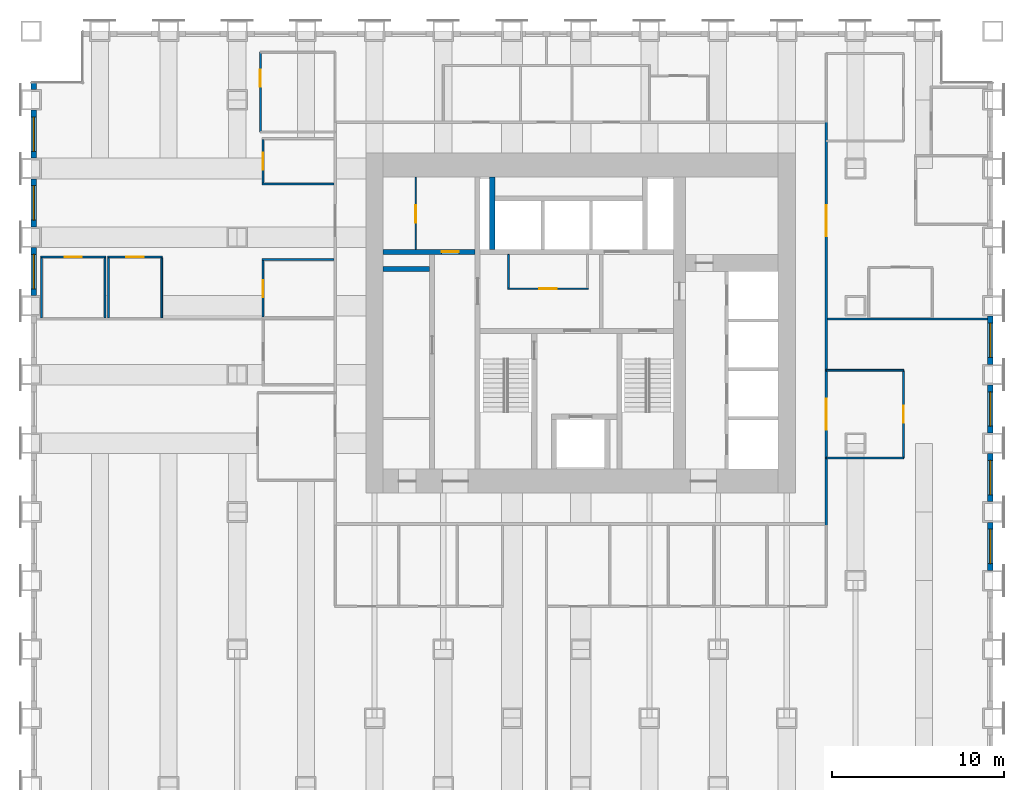
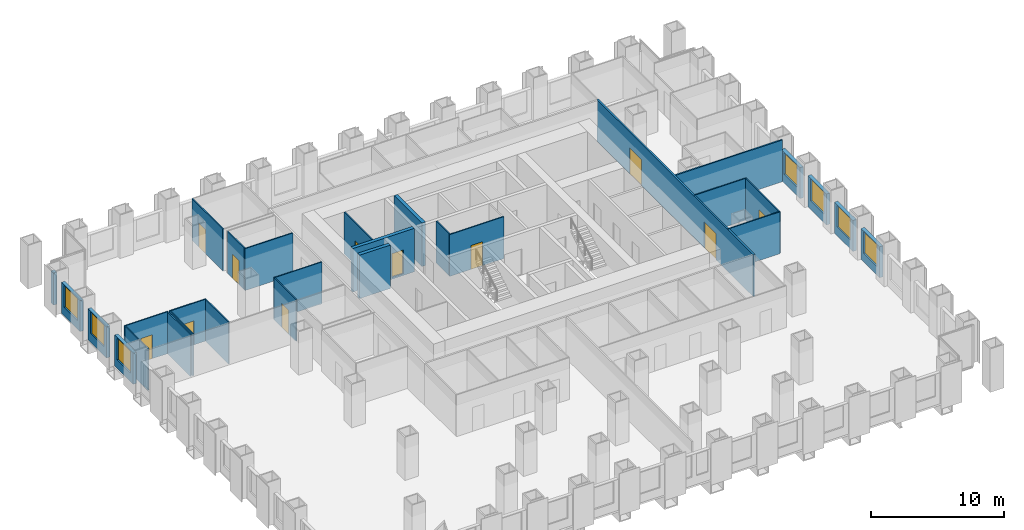
# One storey, part 10 of 14: 30 walls, 11 doors, 7 windows, 18 openings.
"""IFC4 building model written with IfcOpenShell, lengths in metres."""

from ifc_helpers import new_model, si_unit, direction, frame, frame_2d, origin, place, context, subcontext, project, spatial, rectangle, extrude, material, layer, layer_set, type_object, element, fill, save


model = new_model("IFC4")

# Units and contexts
model_context = context("Model", 3, precision=1e-05, world=origin(), true_north=direction((0.0, 1.0)))
body_context = subcontext(model_context, "Body", "Model", "MODEL_VIEW")
ifc_project = project(units=[si_unit("LENGTHUNIT", "METRE"), si_unit("AREAUNIT", "SQUARE_METRE"), si_unit("VOLUMEUNIT", "CUBIC_METRE"), si_unit("PLANEANGLEUNIT", "RADIAN"), si_unit("MASSUNIT", "GRAM", prefix="KILO")], contexts=[model_context])

# Site, building, storey
site_placement = place(None, origin())
site = spatial("IfcSite", under=ifc_project, at=site_placement, CompositionType="ELEMENT")
building_placement = place(site_placement, origin())
building = spatial("IfcBuilding", under=site, at=building_placement, Name="Rimbunsela Tower", CompositionType="ELEMENT")
storey_placement = place(building_placement, frame((0.0, 0.0, 15.0)))
storey = spatial("IfcBuildingStorey", under=building, at=storey_placement, Name="L03", CompositionType="ELEMENT", Elevation=15.0)

# Wall, opening, door
ifc_material_1 = material(Name="Concrete fc' 80 MPa", Category="concrete")
ifc_layer_1 = layer(ifc_material_1, 0.300048828125)
ifc_layer_set_1 = layer_set([ifc_layer_1], Name="Core internal wall 300")
wall_type_1 = type_object("IfcWallType", Name="Core internal wall 300", PredefinedType="SHEAR", material=ifc_layer_set_1)
wall_1_placement = place(storey_placement, frame((18.5, 31.14990234375, -0.14990234375), z_axis=(0.0, 0.0, 1.0), x_axis=(1.0, 0.0, 0.0)))
wall_1 = element("IfcWall", 1, at=wall_1_placement, inside=storey, type_object=wall_type_1, Name="Store wall", PredefinedType="SHEAR", context=body_context, shape_type="SweptSolid", body=[
    extrude(rectangle(XDim=5.35009765625, YDim=0.300048828125, at=frame_2d((2.675048828125, 0.0))), origin(), (0.0, 0.0, 1.0), 4.0),
])
opening_1_placement = place(wall_1_placement, frame((3.39990234375, 0.0, 0.14990234375)))
opening_1 = element("IfcOpeningElement", 2, at=opening_1_placement, cuts=wall_1, Name="Opening D19", PredefinedType="OPENING", context=body_context, shape_type="SweptSolid", body=[
    extrude(rectangle(XDim=1.0, YDim=2.199951171875, at=frame_2d((0.5, 1.10009765625))), frame((0.0, 0.159912109375, 0.0), z_axis=(0.0, -1.0, 0.0), x_axis=(1.0, 0.0, 0.0)), (0.0, 0.0, 1.0), 0.320068359375),
])
ifc_material_2 = material(Name="Steel door, fire rated", Category="steel")
door_type_1 = type_object("IfcDoorType", Name="Service door 1000 fire rated", OperationType="SINGLE_SWING_LEFT", PredefinedType="DOOR", material=ifc_material_2)
door_1_placement = place(opening_1_placement, origin())
door_1 = element("IfcDoor", 3, at=door_1_placement, inside=storey, type_object=door_type_1, Name="Facilities store door", OperationType="SINGLE_SWING_LEFT", OverallHeight=2.199951171875, OverallWidth=1.0, PredefinedType="DOOR", context=body_context, shape_type="SweptSolid", body=[
    extrude(rectangle(XDim=1.0, YDim=2.199951171875, at=frame_2d((0.5, 1.10009765625))), frame((0.0, 0.02490234375, 0.0), z_axis=(0.0, -1.0, 0.0), x_axis=(1.0, 0.0, 0.0)), (0.0, 0.0, 1.0), 0.050048828125),
])
fill(opening_1, door_1)

# Walls
wall_2_placement = place(storey_placement, frame((18.5, 30.14990234375, -0.14990234375), z_axis=(0.0, 0.0, 1.0), x_axis=(1.0, 0.0, 0.0)))
element("IfcWall", 4, at=wall_2_placement, inside=storey, type_object=wall_type_1, Name="Lift shaft rear west", PredefinedType="SHEAR", context=body_context, shape_type="SweptSolid", body=[
    extrude(rectangle(XDim=2.699951171875, YDim=0.300048828125, at=frame_2d((1.35009765625, 0.0))), origin(), (0.0, 0.0, 1.0), 4.0),
])
wall_3_placement = place(storey_placement, frame((24.85009765625, 31.300048828125, -0.14990234375), z_axis=(0.0, 0.0, 1.0), x_axis=(0.0, 1.0, 0.0)))
element("IfcWall", 5, at=wall_3_placement, inside=storey, type_object=wall_type_1, Name="Riser wall", PredefinedType="SHEAR", context=body_context, shape_type="SweptSolid", body=[
    extrude(rectangle(XDim=4.199951171875, YDim=0.300048828125, at=frame_2d((2.10009765625, 0.0))), origin(), (0.0, 0.0, 1.0), 4.0),
])

# Wall, opening, door
ifc_material_3 = material(Name="Concrete blockwork", Category="masonry")
ifc_layer_2 = layer(ifc_material_3, 0.10009765625)
ifc_layer_set_2 = layer_set([ifc_layer_2], Name="Core room partition 100")
wall_type_2 = type_object("IfcWallType", Name="Core room partition 100", PredefinedType="PARTITIONING", material=ifc_layer_set_2)
wall_4_placement = place(storey_placement, frame((20.39990234375, 31.300048828125, 0.0), z_axis=(0.0, 0.0, 1.0), x_axis=(0.0, 1.0, 0.0)))
wall_4 = element("IfcWall", 6, at=wall_4_placement, inside=storey, type_object=wall_type_2, Name="Tenant store wall", PredefinedType="PARTITIONING", context=body_context, shape_type="SweptSolid", body=[
    extrude(rectangle(XDim=4.199951171875, YDim=0.10009765625, at=frame_2d((2.10009765625, 0.0))), origin(), (0.0, 0.0, 1.0), 3.85009765625),
])
opening_2_placement = place(wall_4_placement, frame((1.550048828125, 0.0, 0.0)))
opening_2 = element("IfcOpeningElement", 7, at=opening_2_placement, cuts=wall_4, Name="Opening D19", PredefinedType="OPENING", context=body_context, shape_type="SweptSolid", body=[
    extrude(rectangle(XDim=1.0, YDim=2.199951171875, at=frame_2d((0.5, 1.10009765625))), frame((0.0, 0.06005859375, 0.0), z_axis=(0.0, -1.0, 0.0), x_axis=(1.0, 0.0, 0.0)), (0.0, 0.0, 1.0), 0.1201171875),
])
door_2_placement = place(opening_2_placement, origin())
door_2 = element("IfcDoor", 8, at=door_2_placement, inside=storey, type_object=door_type_1, Name="Tenant store door", OperationType="SINGLE_SWING_LEFT", OverallHeight=2.199951171875, OverallWidth=1.0, PredefinedType="DOOR", context=body_context, shape_type="SweptSolid", body=[
    extrude(rectangle(XDim=1.0, YDim=2.199951171875, at=frame_2d((0.5, 1.10009765625))), frame((0.0, 0.02490234375, 0.0), z_axis=(0.0, -1.0, 0.0), x_axis=(1.0, 0.0, 0.0)), (0.0, 0.0, 1.0), 0.050048828125),
])
fill(opening_2, door_2)

wall_5_placement = place(storey_placement, frame((25.75, 29.0, 0.0), z_axis=(0.0, 0.0, 1.0), x_axis=(1.0, 0.0, 0.0)))
wall_5 = element("IfcWall", 9, at=wall_5_placement, inside=storey, type_object=wall_type_2, Name="Lobby room wall", PredefinedType="PARTITIONING", context=body_context, shape_type="SweptSolid", body=[
    extrude(rectangle(XDim=4.699951171875, YDim=0.10009765625, at=frame_2d((2.35009765625, 0.0))), origin(), (0.0, 0.0, 1.0), 3.85009765625),
])
opening_3_placement = place(wall_5_placement, frame((1.85009765625, 0.0, 0.0)))
opening_3 = element("IfcOpeningElement", 10, at=opening_3_placement, cuts=wall_5, Name="Opening D19", PredefinedType="OPENING", context=body_context, shape_type="SweptSolid", body=[
    extrude(rectangle(XDim=1.0, YDim=2.199951171875, at=frame_2d((0.5, 1.10009765625))), frame((0.0, 0.06005859375, 0.0), z_axis=(0.0, -1.0, 0.0), x_axis=(1.0, 0.0, 0.0)), (0.0, 0.0, 1.0), 0.1201171875),
])
door_3_placement = place(opening_3_placement, origin())
door_3 = element("IfcDoor", 11, at=door_3_placement, inside=storey, type_object=door_type_1, Name="Tenant store door", OperationType="SINGLE_SWING_LEFT", OverallHeight=2.199951171875, OverallWidth=1.0, PredefinedType="DOOR", context=body_context, shape_type="SweptSolid", body=[
    extrude(rectangle(XDim=1.0, YDim=2.199951171875, at=frame_2d((0.5, 1.10009765625))), frame((0.0, 0.02490234375, 0.0), z_axis=(0.0, -1.0, 0.0), x_axis=(1.0, 0.0, 0.0)), (0.0, 0.0, 1.0), 0.050048828125),
])
fill(opening_3, door_3)

# Walls
wall_6_placement = place(storey_placement, frame((25.800048828125, 29.050048828125, 0.0), z_axis=(0.0, 0.0, 1.0), x_axis=(0.0, 1.0, 0.0)))
element("IfcWall", 12, at=wall_6_placement, inside=storey, type_object=wall_type_2, Name="Lobby room wall", PredefinedType="PARTITIONING", context=body_context, shape_type="SweptSolid", body=[
    extrude(rectangle(XDim=1.949951171875, YDim=0.10009765625, at=frame_2d((0.97509765625, 0.0))), origin(), (0.0, 0.0, 1.0), 3.85009765625),
])
ifc_material_4 = material(Name="Gypsum board on steel studs", Category="steel")
ifc_layer_3 = layer(ifc_material_4, 0.10009765625)
ifc_layer_set_3 = layer_set([ifc_layer_3], Name="Office partition 100")
wall_type_3 = type_object("IfcWallType", Name="Office partition 100", PredefinedType="PARTITIONING", material=ifc_layer_set_3)
wall_7_placement = place(storey_placement, frame((11.449951171875, 30.699951171875, 0.0), z_axis=(0.0, 0.0, 1.0), x_axis=(1.0, 0.0, 0.0)))
element("IfcWall", 13, at=wall_7_placement, inside=storey, type_object=wall_type_3, Name="Office partition", PredefinedType="PARTITIONING", context=body_context, shape_type="SweptSolid", body=[
    extrude(rectangle(XDim=4.175048828125, YDim=0.10009765625, at=frame_2d((2.08740234375, 0.0))), origin(), (0.0, 0.0, 1.0), 3.85009765625),
])

# Wall, opening, door
wall_8_placement = place(storey_placement, frame((-1.449951171875, 30.85009765625, 0.0), z_axis=(0.0, 0.0, 1.0), x_axis=(1.0, 0.0, 0.0)))
wall_8 = element("IfcWall", 14, at=wall_8_placement, inside=storey, type_object=wall_type_3, Name="Office partition", PredefinedType="PARTITIONING", context=body_context, shape_type="SweptSolid", body=[
    extrude(rectangle(XDim=3.800048828125, YDim=0.10009765625, at=frame_2d((1.89990234375, 0.0))), origin(), (0.0, 0.0, 1.0), 3.85009765625),
])
opening_4_placement = place(wall_8_placement, frame((1.39990234375, 0.0, 0.0)))
opening_4 = element("IfcOpeningElement", 15, at=opening_4_placement, cuts=wall_8, Name="Opening D17", PredefinedType="OPENING", context=body_context, shape_type="SweptSolid", body=[
    extrude(rectangle(XDim=1.0, YDim=2.199951171875, at=frame_2d((0.5, 1.10009765625))), frame((0.0, 0.06005859375, 0.0), z_axis=(0.0, -1.0, 0.0), x_axis=(1.0, 0.0, 0.0)), (0.0, 0.0, 1.0), 0.1201171875),
])
ifc_material_5 = material(Name="Glazed aluminium door", Category="aluminium")
door_type_2 = type_object("IfcDoorType", Name="Meeting room door 1000 glazed", OperationType="SINGLE_SWING_RIGHT", PredefinedType="DOOR", material=ifc_material_5)
door_4_placement = place(opening_4_placement, origin())
door_4 = element("IfcDoor", 16, at=door_4_placement, inside=storey, type_object=door_type_2, Name="Meeting room door", OperationType="SINGLE_SWING_RIGHT", OverallHeight=2.199951171875, OverallWidth=1.0, PredefinedType="DOOR", context=body_context, shape_type="SweptSolid", body=[
    extrude(rectangle(XDim=1.0, YDim=2.199951171875, at=frame_2d((0.5, 1.10009765625))), frame((0.0, 0.02490234375, 0.0), z_axis=(0.0, -1.0, 0.0), x_axis=(1.0, 0.0, 0.0)), (0.0, 0.0, 1.0), 0.050048828125),
])
fill(opening_4, door_4)

wall_9_placement = place(storey_placement, frame((2.449951171875, 30.85009765625, 0.0), z_axis=(0.0, 0.0, 1.0), x_axis=(1.0, 0.0, 0.0)))
wall_9 = element("IfcWall", 17, at=wall_9_placement, inside=storey, type_object=wall_type_3, Name="Office partition", PredefinedType="PARTITIONING", context=body_context, shape_type="SweptSolid", body=[
    extrude(rectangle(XDim=3.199951171875, YDim=0.10009765625, at=frame_2d((1.60009765625, 0.0))), origin(), (0.0, 0.0, 1.0), 3.85009765625),
])
opening_5_placement = place(wall_9_placement, frame((1.10009765625, 0.0, 0.0)))
opening_5 = element("IfcOpeningElement", 18, at=opening_5_placement, cuts=wall_9, Name="Opening D16", PredefinedType="OPENING", context=body_context, shape_type="SweptSolid", body=[
    extrude(rectangle(XDim=1.0, YDim=2.199951171875, at=frame_2d((0.5, 1.10009765625))), frame((0.0, 0.06005859375, 0.0), z_axis=(0.0, -1.0, 0.0), x_axis=(1.0, 0.0, 0.0)), (0.0, 0.0, 1.0), 0.1201171875),
])
ifc_material_6 = material(Name="Timber door", Category="wood")
door_type_3 = type_object("IfcDoorType", Name="Office door 1000", OperationType="SINGLE_SWING_LEFT", PredefinedType="DOOR", material=ifc_material_6)
door_5_placement = place(opening_5_placement, origin())
door_5 = element("IfcDoor", 19, at=door_5_placement, inside=storey, type_object=door_type_3, Name="Office door", OperationType="SINGLE_SWING_LEFT", OverallHeight=2.199951171875, OverallWidth=1.0, PredefinedType="DOOR", context=body_context, shape_type="SweptSolid", body=[
    extrude(rectangle(XDim=1.0, YDim=2.199951171875, at=frame_2d((0.5, 1.10009765625))), frame((0.0, 0.02490234375, 0.0), z_axis=(0.0, -1.0, 0.0), x_axis=(1.0, 0.0, 0.0)), (0.0, 0.0, 1.0), 0.050048828125),
])
fill(opening_5, door_5)

# Walls
wall_10_placement = place(storey_placement, frame((11.449951171875, 35.10009765625, 0.0), z_axis=(0.0, 0.0, 1.0), x_axis=(1.0, 0.0, 0.0)))
element("IfcWall", 20, at=wall_10_placement, inside=storey, type_object=wall_type_3, Name="Office partition", PredefinedType="PARTITIONING", context=body_context, shape_type="SweptSolid", body=[
    extrude(rectangle(XDim=4.175048828125, YDim=0.10009765625, at=frame_2d((2.08740234375, 0.0))), origin(), (0.0, 0.0, 1.0), 3.85009765625),
])
for number, where, z_axis, x_axis, name in (
    (21, (-1.39990234375, 27.31005859375, 0.0), (0.0, 0.0, 1.0), (0.0, 1.0, 0.0), "Office partition"),
    (22, (2.300048828125, 27.31005859375, 0.0), (0.0, 0.0, 1.0), (0.0, 1.0, 0.0), "Office partition"),
    (23, (2.5, 27.31005859375, 0.0), (0.0, 0.0, 1.0), (0.0, 1.0, 0.0), "Office partition"),
    (24, (5.60009765625, 27.31005859375, 0.0), (0.0, 0.0, 1.0), (0.0, 1.0, 0.0), "Office partition"),
):
    element("IfcWall", number, at=place(storey_placement, frame(where, z_axis=z_axis, x_axis=x_axis)), inside=storey, type_object=wall_type_3, Name=name, PredefinedType="PARTITIONING", context=body_context, shape_type="SweptSolid", body=[
        extrude(rectangle(XDim=3.489990234375, YDim=0.10009765625, at=frame_2d((1.7451171875, 0.0))), origin(), (0.0, 0.0, 1.0), 3.85009765625),
    ])

# Wall, opening, door
wall_11_placement = place(storey_placement, frame((11.5, 27.35009765625, 0.0), z_axis=(0.0, 0.0, 1.0), x_axis=(0.0, 1.0, 0.0)))
wall_11 = element("IfcWall", 25, at=wall_11_placement, inside=storey, type_object=wall_type_3, Name="Office partition", PredefinedType="PARTITIONING", context=body_context, shape_type="SweptSolid", body=[
    extrude(rectangle(XDim=3.2998046875, YDim=0.10009765625, at=frame_2d((1.64990234375, 0.0))), origin(), (0.0, 0.0, 1.0), 3.85009765625),
])
opening_6_placement = place(wall_11_placement, frame((1.14990234375, 0.0, 0.0)))
opening_6 = element("IfcOpeningElement", 26, at=opening_6_placement, cuts=wall_11, Name="Opening D16", PredefinedType="OPENING", context=body_context, shape_type="SweptSolid", body=[
    extrude(rectangle(XDim=1.0, YDim=2.199951171875, at=frame_2d((0.5, 1.10009765625))), frame((0.0, 0.06005859375, 0.0), z_axis=(0.0, -1.0, 0.0), x_axis=(1.0, 0.0, 0.0)), (0.0, 0.0, 1.0), 0.1201171875),
])
door_6_placement = place(opening_6_placement, origin())
door_6 = element("IfcDoor", 27, at=door_6_placement, inside=storey, type_object=door_type_3, Name="Office door", OperationType="SINGLE_SWING_LEFT", OverallHeight=2.199951171875, OverallWidth=1.0, PredefinedType="DOOR", context=body_context, shape_type="SweptSolid", body=[
    extrude(rectangle(XDim=1.0, YDim=2.199951171875, at=frame_2d((0.5, 1.10009765625))), frame((0.0, 0.02490234375, 0.0), z_axis=(0.0, -1.0, 0.0), x_axis=(1.0, 0.0, 0.0)), (0.0, 0.0, 1.0), 0.050048828125),
])
fill(opening_6, door_6)

wall_12_placement = place(storey_placement, frame((11.5, 35.14990234375, 0.0), z_axis=(0.0, 0.0, 1.0), x_axis=(0.0, 1.0, 0.0)))
wall_12 = element("IfcWall", 28, at=wall_12_placement, inside=storey, type_object=wall_type_3, Name="Office partition", PredefinedType="PARTITIONING", context=body_context, shape_type="SweptSolid", body=[
    extrude(rectangle(XDim=2.550048828125, YDim=0.10009765625, at=frame_2d((1.27490234375, 0.0))), origin(), (0.0, 0.0, 1.0), 3.85009765625),
])
opening_7_placement = place(wall_12_placement, frame((0.77490234375, 0.0, 0.0)))
opening_7 = element("IfcOpeningElement", 29, at=opening_7_placement, cuts=wall_12, Name="Opening D16", PredefinedType="OPENING", context=body_context, shape_type="SweptSolid", body=[
    extrude(rectangle(XDim=1.0, YDim=2.199951171875, at=frame_2d((0.5, 1.10009765625))), frame((0.0, 0.06005859375, 0.0), z_axis=(0.0, -1.0, 0.0), x_axis=(1.0, 0.0, 0.0)), (0.0, 0.0, 1.0), 0.1201171875),
])
door_7_placement = place(opening_7_placement, origin())
door_7 = element("IfcDoor", 30, at=door_7_placement, inside=storey, type_object=door_type_3, Name="Office door", OperationType="SINGLE_SWING_LEFT", OverallHeight=2.199951171875, OverallWidth=1.0, PredefinedType="DOOR", context=body_context, shape_type="SweptSolid", body=[
    extrude(rectangle(XDim=1.0, YDim=2.199951171875, at=frame_2d((0.5, 1.10009765625))), frame((0.0, 0.02490234375, 0.0), z_axis=(0.0, -1.0, 0.0), x_axis=(1.0, 0.0, 0.0)), (0.0, 0.0, 1.0), 0.050048828125),
])
fill(opening_7, door_7)

wall_13_placement = place(storey_placement, frame((11.35009765625, 42.77490234375, 0.0), z_axis=(0.0, 0.0, 1.0), x_axis=(0.0, -1.0, 0.0)))
wall_13 = element("IfcWall", 31, at=wall_13_placement, inside=storey, type_object=wall_type_3, Name="Office partition", PredefinedType="PARTITIONING", context=body_context, shape_type="SweptSolid", body=[
    extrude(rectangle(XDim=4.64990234375, YDim=0.10009765625, at=frame_2d((2.324951171875, 0.0))), origin(), (0.0, 0.0, 1.0), 3.85009765625),
])
opening_8_placement = place(wall_13_placement, frame((1.02490234375, 0.0, 0.0)))
opening_8 = element("IfcOpeningElement", 32, at=opening_8_placement, cuts=wall_13, Name="Opening D17", PredefinedType="OPENING", context=body_context, shape_type="SweptSolid", body=[
    extrude(rectangle(XDim=1.0, YDim=2.199951171875, at=frame_2d((0.5, 1.10009765625))), frame((0.0, 0.06005859375, 0.0), z_axis=(0.0, -1.0, 0.0), x_axis=(1.0, 0.0, 0.0)), (0.0, 0.0, 1.0), 0.1201171875),
])
door_8_placement = place(opening_8_placement, origin())
door_8 = element("IfcDoor", 33, at=door_8_placement, inside=storey, type_object=door_type_2, Name="Reception door", OperationType="SINGLE_SWING_RIGHT", OverallHeight=2.199951171875, OverallWidth=1.0, PredefinedType="DOOR", context=body_context, shape_type="SweptSolid", body=[
    extrude(rectangle(XDim=1.0, YDim=2.199951171875, at=frame_2d((0.5, 1.10009765625))), frame((0.0, 0.02490234375, 0.0), z_axis=(0.0, -1.0, 0.0), x_axis=(1.0, 0.0, 0.0)), (0.0, 0.0, 1.0), 0.050048828125),
])
fill(opening_8, door_8)

# Wall
wall_14_placement = place(storey_placement, frame((44.300048828125, 19.14990234375, 0.0), z_axis=(0.0, 0.0, 1.0), x_axis=(1.0, 0.0, 0.0)))
element("IfcWall", 34, at=wall_14_placement, inside=storey, type_object=wall_type_3, Name="Office partition", PredefinedType="PARTITIONING", context=body_context, shape_type="SweptSolid", body=[
    extrude(rectangle(XDim=4.5, YDim=0.10009765625, at=frame_2d((2.25, 0.0))), origin(), (0.0, 0.0, 1.0), 3.85009765625),
])

# Wall, opening, door
wall_15_placement = place(storey_placement, frame((48.800048828125, 19.14990234375, 0.0), z_axis=(0.0, 0.0, 1.0), x_axis=(0.0, 1.0, 0.0)))
wall_15 = element("IfcWall", 35, at=wall_15_placement, inside=storey, type_object=wall_type_3, Name="Office partition", PredefinedType="PARTITIONING", context=body_context, shape_type="SweptSolid", body=[
    extrude(rectangle(XDim=5.10009765625, YDim=0.10009765625, at=frame_2d((2.550048828125, 0.0))), origin(), (0.0, 0.0, 1.0), 3.85009765625),
])
opening_9_placement = place(wall_15_placement, frame((2.050048828125, 0.0, 0.0)))
opening_9 = element("IfcOpeningElement", 36, at=opening_9_placement, cuts=wall_15, Name="Opening D17", PredefinedType="OPENING", context=body_context, shape_type="SweptSolid", body=[
    extrude(rectangle(XDim=1.0, YDim=2.199951171875, at=frame_2d((0.5, 1.10009765625))), frame((0.0, 0.06005859375, 0.0), z_axis=(0.0, -1.0, 0.0), x_axis=(1.0, 0.0, 0.0)), (0.0, 0.0, 1.0), 0.1201171875),
])
door_9_placement = place(opening_9_placement, origin())
door_9 = element("IfcDoor", 37, at=door_9_placement, inside=storey, type_object=door_type_2, Name="Reception door", OperationType="SINGLE_SWING_RIGHT", OverallHeight=2.199951171875, OverallWidth=1.0, PredefinedType="DOOR", context=body_context, shape_type="SweptSolid", body=[
    extrude(rectangle(XDim=1.0, YDim=2.199951171875, at=frame_2d((0.5, 1.10009765625))), frame((0.0, 0.02490234375, 0.0), z_axis=(0.0, -1.0, 0.0), x_axis=(1.0, 0.0, 0.0)), (0.0, 0.0, 1.0), 0.050048828125),
])
fill(opening_9, door_9)

# Wall
wall_16_placement = place(storey_placement, frame((48.800048828125, 24.25, 0.0), z_axis=(0.0, 0.0, 1.0), x_axis=(-1.0, 0.0, 0.0)))
element("IfcWall", 38, at=wall_16_placement, inside=storey, type_object=wall_type_3, Name="Office partition", PredefinedType="PARTITIONING", context=body_context, shape_type="SweptSolid", body=[
    extrude(rectangle(XDim=4.5, YDim=0.10009765625, at=frame_2d((2.25, 0.0))), origin(), (0.0, 0.0, 1.0), 3.85009765625),
])

# Wall, opening, window
ifc_material_7 = material(Name="Precast concrete fc' 35 MPa", Category="concrete")
ifc_layer_4 = layer(ifc_material_7, 0.300048828125)
ifc_layer_set_4 = layer_set([ifc_layer_4], Name="Precast concrete fc' 35 MPa")
wall_type_4 = type_object("IfcWallType", Name="Precast facade panel 300", PredefinedType="ELEMENTEDWALL", material=ifc_layer_set_4)
wall_17_placement = place(storey_placement, frame((53.85009765625, 12.60009765625, 0.0), z_axis=(0.0, 0.0, 1.0), x_axis=(0.0, 1.0, 0.0)))
wall_17 = element("IfcWall", 39, at=wall_17_placement, inside=storey, type_object=wall_type_4, Name="Facade panel E L03", PredefinedType="ELEMENTEDWALL", context=body_context, shape_type="SweptSolid", body=[
    extrude(rectangle(XDim=2.7998046875, YDim=0.300048828125, at=frame_2d((1.39990234375, 0.0))), origin(), (0.0, 0.0, 1.0), 2.85009765625),
])
opening_10_placement = place(wall_17_placement, frame((0.39990234375, 0.0, 0.800048828125)))
opening_10 = element("IfcOpeningElement", 40, at=opening_10_placement, cuts=wall_17, Name="Opening W1", PredefinedType="OPENING", context=body_context, shape_type="SweptSolid", body=[
    extrude(rectangle(XDim=2.0, YDim=2.0, at=frame_2d((1.0, 1.0))), frame((0.0, 0.159912109375, 0.0), z_axis=(0.0, -1.0, 0.0), x_axis=(1.0, 0.0, 0.0)), (0.0, 0.0, 1.0), 0.320068359375),
])
ifc_material_8 = material(Name="Clear glass in aluminium frame", Category="aluminium")
window_type = type_object("IfcWindowType", Name="Window W1 2000x2000", PartitioningType="DOUBLE_PANEL_VERTICAL", PredefinedType="WINDOW", material=ifc_material_8)
window_1_placement = place(opening_10_placement, origin())
window_1 = element("IfcWindow", 41, at=window_1_placement, inside=storey, type_object=window_type, Name="Window L03", OverallHeight=2.0, OverallWidth=2.0, PartitioningType="SINGLE_PANEL", PredefinedType="WINDOW", context=body_context, shape_type="SweptSolid", body=[
    extrude(rectangle(XDim=2.0, YDim=2.0, at=frame_2d((1.0, 1.0))), frame((0.0, 0.030029296875, 0.0), z_axis=(0.0, -1.0, 0.0), x_axis=(1.0, 0.0, 0.0)), (0.0, 0.0, 1.0), 0.06005859375),
])
fill(opening_10, window_1)

wall_18_placement = place(storey_placement, frame((53.85009765625, 16.60009765625, 0.0), z_axis=(0.0, 0.0, 1.0), x_axis=(0.0, 1.0, 0.0)))
wall_18 = element("IfcWall", 42, at=wall_18_placement, inside=storey, type_object=wall_type_4, Name="Facade panel E L03", PredefinedType="ELEMENTEDWALL", context=body_context, shape_type="SweptSolid", body=[
    extrude(rectangle(XDim=2.7998046875, YDim=0.300048828125, at=frame_2d((1.39990234375, 0.0))), origin(), (0.0, 0.0, 1.0), 2.85009765625),
])
opening_11_placement = place(wall_18_placement, frame((0.39990234375, 0.0, 0.800048828125)))
opening_11 = element("IfcOpeningElement", 43, at=opening_11_placement, cuts=wall_18, Name="Opening W1", PredefinedType="OPENING", context=body_context, shape_type="SweptSolid", body=[
    extrude(rectangle(XDim=2.0, YDim=2.0, at=frame_2d((1.0, 1.0))), frame((0.0, 0.159912109375, 0.0), z_axis=(0.0, -1.0, 0.0), x_axis=(1.0, 0.0, 0.0)), (0.0, 0.0, 1.0), 0.320068359375),
])
window_2_placement = place(opening_11_placement, origin())
window_2 = element("IfcWindow", 44, at=window_2_placement, inside=storey, type_object=window_type, Name="Window L03", OverallHeight=2.0, OverallWidth=2.0, PartitioningType="SINGLE_PANEL", PredefinedType="WINDOW", context=body_context, shape_type="SweptSolid", body=[
    extrude(rectangle(XDim=2.0, YDim=2.0, at=frame_2d((1.0, 1.0))), frame((0.0, 0.030029296875, 0.0), z_axis=(0.0, -1.0, 0.0), x_axis=(1.0, 0.0, 0.0)), (0.0, 0.0, 1.0), 0.06005859375),
])
fill(opening_11, window_2)

wall_19_placement = place(storey_placement, frame((53.85009765625, 20.60009765625, 0.0), z_axis=(0.0, 0.0, 1.0), x_axis=(0.0, 1.0, 0.0)))
wall_19 = element("IfcWall", 45, at=wall_19_placement, inside=storey, type_object=wall_type_4, Name="Facade panel E L03", PredefinedType="ELEMENTEDWALL", context=body_context, shape_type="SweptSolid", body=[
    extrude(rectangle(XDim=2.7998046875, YDim=0.300048828125, at=frame_2d((1.39990234375, 0.0))), origin(), (0.0, 0.0, 1.0), 2.85009765625),
])
opening_12_placement = place(wall_19_placement, frame((0.39990234375, 0.0, 0.800048828125)))
opening_12 = element("IfcOpeningElement", 46, at=opening_12_placement, cuts=wall_19, Name="Opening W1", PredefinedType="OPENING", context=body_context, shape_type="SweptSolid", body=[
    extrude(rectangle(XDim=2.0, YDim=2.0, at=frame_2d((1.0, 1.0))), frame((0.0, 0.159912109375, 0.0), z_axis=(0.0, -1.0, 0.0), x_axis=(1.0, 0.0, 0.0)), (0.0, 0.0, 1.0), 0.320068359375),
])
window_3_placement = place(opening_12_placement, origin())
window_3 = element("IfcWindow", 47, at=window_3_placement, inside=storey, type_object=window_type, Name="Window L03", OverallHeight=2.0, OverallWidth=2.0, PartitioningType="SINGLE_PANEL", PredefinedType="WINDOW", context=body_context, shape_type="SweptSolid", body=[
    extrude(rectangle(XDim=2.0, YDim=2.0, at=frame_2d((1.0, 1.0))), frame((0.0, 0.030029296875, 0.0), z_axis=(0.0, -1.0, 0.0), x_axis=(1.0, 0.0, 0.0)), (0.0, 0.0, 1.0), 0.06005859375),
])
fill(opening_12, window_3)

wall_20_placement = place(storey_placement, frame((53.85009765625, 24.60009765625, 0.0), z_axis=(0.0, 0.0, 1.0), x_axis=(0.0, 1.0, 0.0)))
wall_20 = element("IfcWall", 48, at=wall_20_placement, inside=storey, type_object=wall_type_4, Name="Facade panel E L03", PredefinedType="ELEMENTEDWALL", context=body_context, shape_type="SweptSolid", body=[
    extrude(rectangle(XDim=2.7998046875, YDim=0.300048828125, at=frame_2d((1.39990234375, 0.0))), origin(), (0.0, 0.0, 1.0), 2.85009765625),
])
opening_13_placement = place(wall_20_placement, frame((0.39990234375, 0.0, 0.800048828125)))
opening_13 = element("IfcOpeningElement", 49, at=opening_13_placement, cuts=wall_20, Name="Opening W1", PredefinedType="OPENING", context=body_context, shape_type="SweptSolid", body=[
    extrude(rectangle(XDim=2.0, YDim=2.0, at=frame_2d((1.0, 1.0))), frame((0.0, 0.159912109375, 0.0), z_axis=(0.0, -1.0, 0.0), x_axis=(1.0, 0.0, 0.0)), (0.0, 0.0, 1.0), 0.320068359375),
])
window_4_placement = place(opening_13_placement, origin())
window_4 = element("IfcWindow", 50, at=window_4_placement, inside=storey, type_object=window_type, Name="Window L03", OverallHeight=2.0, OverallWidth=2.0, PartitioningType="SINGLE_PANEL", PredefinedType="WINDOW", context=body_context, shape_type="SweptSolid", body=[
    extrude(rectangle(XDim=2.0, YDim=2.0, at=frame_2d((1.0, 1.0))), frame((0.0, 0.030029296875, 0.0), z_axis=(0.0, -1.0, 0.0), x_axis=(1.0, 0.0, 0.0)), (0.0, 0.0, 1.0), 0.06005859375),
])
fill(opening_13, window_4)

wall_21_placement = place(storey_placement, frame((-1.85009765625, 31.39990234375, 0.0), z_axis=(0.0, 0.0, 1.0), x_axis=(0.0, -1.0, 0.0)))
wall_21 = element("IfcWall", 51, at=wall_21_placement, inside=storey, type_object=wall_type_4, Name="Facade panel W L03", PredefinedType="ELEMENTEDWALL", context=body_context, shape_type="SweptSolid", body=[
    extrude(rectangle(XDim=2.7998046875, YDim=0.300048828125, at=frame_2d((1.39990234375, 0.0))), origin(), (0.0, 0.0, 1.0), 2.85009765625),
])
opening_14_placement = place(wall_21_placement, frame((0.39990234375, 0.0, 0.800048828125)))
opening_14 = element("IfcOpeningElement", 52, at=opening_14_placement, cuts=wall_21, Name="Opening W1", PredefinedType="OPENING", context=body_context, shape_type="SweptSolid", body=[
    extrude(rectangle(XDim=2.0, YDim=2.0, at=frame_2d((1.0, 1.0))), frame((0.0, 0.159912109375, 0.0), z_axis=(0.0, -1.0, 0.0), x_axis=(1.0, 0.0, 0.0)), (0.0, 0.0, 1.0), 0.320068359375),
])
window_5_placement = place(opening_14_placement, origin())
window_5 = element("IfcWindow", 53, at=window_5_placement, inside=storey, type_object=window_type, Name="Window L03", OverallHeight=2.0, OverallWidth=2.0, PartitioningType="SINGLE_PANEL", PredefinedType="WINDOW", context=body_context, shape_type="SweptSolid", body=[
    extrude(rectangle(XDim=2.0, YDim=2.0, at=frame_2d((1.0, 1.0))), frame((0.0, 0.030029296875, 0.0), z_axis=(0.0, -1.0, 0.0), x_axis=(1.0, 0.0, 0.0)), (0.0, 0.0, 1.0), 0.06005859375),
])
fill(opening_14, window_5)

wall_22_placement = place(storey_placement, frame((-1.85009765625, 35.39990234375, 0.0), z_axis=(0.0, 0.0, 1.0), x_axis=(0.0, -1.0, 0.0)))
wall_22 = element("IfcWall", 54, at=wall_22_placement, inside=storey, type_object=wall_type_4, Name="Facade panel W L03", PredefinedType="ELEMENTEDWALL", context=body_context, shape_type="SweptSolid", body=[
    extrude(rectangle(XDim=2.7998046875, YDim=0.300048828125, at=frame_2d((1.39990234375, 0.0))), origin(), (0.0, 0.0, 1.0), 2.85009765625),
])
opening_15_placement = place(wall_22_placement, frame((0.39990234375, 0.0, 0.800048828125)))
opening_15 = element("IfcOpeningElement", 55, at=opening_15_placement, cuts=wall_22, Name="Opening W1", PredefinedType="OPENING", context=body_context, shape_type="SweptSolid", body=[
    extrude(rectangle(XDim=2.0, YDim=2.0, at=frame_2d((1.0, 1.0))), frame((0.0, 0.159912109375, 0.0), z_axis=(0.0, -1.0, 0.0), x_axis=(1.0, 0.0, 0.0)), (0.0, 0.0, 1.0), 0.320068359375),
])
window_6_placement = place(opening_15_placement, origin())
window_6 = element("IfcWindow", 56, at=window_6_placement, inside=storey, type_object=window_type, Name="Window L03", OverallHeight=2.0, OverallWidth=2.0, PartitioningType="SINGLE_PANEL", PredefinedType="WINDOW", context=body_context, shape_type="SweptSolid", body=[
    extrude(rectangle(XDim=2.0, YDim=2.0, at=frame_2d((1.0, 1.0))), frame((0.0, 0.030029296875, 0.0), z_axis=(0.0, -1.0, 0.0), x_axis=(1.0, 0.0, 0.0)), (0.0, 0.0, 1.0), 0.06005859375),
])
fill(opening_15, window_6)

wall_23_placement = place(storey_placement, frame((-1.85009765625, 39.39990234375, 0.0), z_axis=(0.0, 0.0, 1.0), x_axis=(0.0, -1.0, 0.0)))
wall_23 = element("IfcWall", 57, at=wall_23_placement, inside=storey, type_object=wall_type_4, Name="Facade panel W L03", PredefinedType="ELEMENTEDWALL", context=body_context, shape_type="SweptSolid", body=[
    extrude(rectangle(XDim=2.7998046875, YDim=0.300048828125, at=frame_2d((1.39990234375, 0.0))), origin(), (0.0, 0.0, 1.0), 2.85009765625),
])
opening_16_placement = place(wall_23_placement, frame((0.39990234375, 0.0, 0.800048828125)))
opening_16 = element("IfcOpeningElement", 58, at=opening_16_placement, cuts=wall_23, Name="Opening W1", PredefinedType="OPENING", context=body_context, shape_type="SweptSolid", body=[
    extrude(rectangle(XDim=2.0, YDim=2.0, at=frame_2d((1.0, 1.0))), frame((0.0, 0.159912109375, 0.0), z_axis=(0.0, -1.0, 0.0), x_axis=(1.0, 0.0, 0.0)), (0.0, 0.0, 1.0), 0.320068359375),
])
window_7_placement = place(opening_16_placement, origin())
window_7 = element("IfcWindow", 59, at=window_7_placement, inside=storey, type_object=window_type, Name="Window L03", OverallHeight=2.0, OverallWidth=2.0, PartitioningType="SINGLE_PANEL", PredefinedType="WINDOW", context=body_context, shape_type="SweptSolid", body=[
    extrude(rectangle(XDim=2.0, YDim=2.0, at=frame_2d((1.0, 1.0))), frame((0.0, 0.030029296875, 0.0), z_axis=(0.0, -1.0, 0.0), x_axis=(1.0, 0.0, 0.0)), (0.0, 0.0, 1.0), 0.06005859375),
])
fill(opening_16, window_7)

# Wall
wall_24_placement = place(storey_placement, frame((-1.85009765625, 40.969970703125, 0.0), z_axis=(0.0, 0.0, 1.0), x_axis=(0.0, -1.0, 0.0)))
element("IfcWall", 60, at=wall_24_placement, inside=storey, type_object=wall_type_4, Name="Facade panel W L03", PredefinedType="ELEMENTEDWALL", context=body_context, shape_type="SweptSolid", body=[
    extrude(rectangle(XDim=0.369873046875, YDim=0.300048828125, at=frame_2d((0.18505859375, 0.0))), origin(), (0.0, 0.0, 1.0), 2.949951171875),
])

# Wall, openings, doors
ifc_material_9 = material(Name="Fire-rated gypsum board on steel studs, EI 60", Category="steel")
ifc_layer_5 = layer(ifc_material_9, 0.14990234375)
ifc_layer_set_5 = layer_set([ifc_layer_5], Name="Rated corridor wall 150")
wall_type_5 = type_object("IfcWallType", Name="Rated corridor wall 150", PredefinedType="PARTITIONING", material=ifc_layer_set_5)
wall_25_placement = place(storey_placement, frame((44.300048828125, 15.22509765625, 0.0), z_axis=(0.0, 0.0, 1.0), x_axis=(0.0, 1.0, 0.0)))
wall_25 = element("IfcWall", 61, at=wall_25_placement, inside=storey, type_object=wall_type_5, Name="Corridor wall east", PredefinedType="PARTITIONING", context=body_context, shape_type="SweptSolid", body=[
    extrude(rectangle(XDim=23.5498046875, YDim=0.14990234375, at=frame_2d((11.77490234375, 0.0))), origin(), (0.0, 0.0, 1.0), 3.85009765625),
])
opening_17_placement = place(wall_25_placement, frame((5.574951171875, 0.0, 0.0)))
opening_17 = element("IfcOpeningElement", 62, at=opening_17_placement, cuts=wall_25, Name="Opening D09", PredefinedType="OPENING", context=body_context, shape_type="SweptSolid", body=[
    extrude(rectangle(XDim=1.800048828125, YDim=2.39990234375, at=frame_2d((0.89990234375, 1.199951171875))), frame((0.0, 0.0849609375, 0.0), z_axis=(0.0, -1.0, 0.0), x_axis=(1.0, 0.0, 0.0)), (0.0, 0.0, 1.0), 0.169921875),
])
opening_18_placement = place(wall_25_placement, frame((16.824951171875, 0.0, 0.0)))
opening_18 = element("IfcOpeningElement", 63, at=opening_18_placement, cuts=wall_25, Name="Opening D09", PredefinedType="OPENING", context=body_context, shape_type="SweptSolid", body=[
    extrude(rectangle(XDim=1.800048828125, YDim=2.39990234375, at=frame_2d((0.89990234375, 1.199951171875))), frame((0.0, 0.0849609375, 0.0), z_axis=(0.0, -1.0, 0.0), x_axis=(1.0, 0.0, 0.0)), (0.0, 0.0, 1.0), 0.169921875),
])
ifc_material_10 = material(Name="Glazed aluminium door, fire rated", Category="aluminium")
door_type_4 = type_object("IfcDoorType", Name="Tenancy door 1800 glazed", OperationType="DOUBLE_DOOR_DOUBLE_SWING", PredefinedType="DOOR", material=ifc_material_10)
door_10_placement = place(opening_17_placement, origin())
door_10 = element("IfcDoor", 64, at=door_10_placement, inside=storey, type_object=door_type_4, Name="Tenancy door", OperationType="DOUBLE_DOOR_DOUBLE_SWING", OverallHeight=2.39990234375, OverallWidth=1.800048828125, PredefinedType="DOOR", context=body_context, shape_type="SweptSolid", body=[
    extrude(rectangle(XDim=1.800048828125, YDim=2.39990234375, at=frame_2d((0.89990234375, 1.199951171875))), frame((0.0, 0.02490234375, 0.0), z_axis=(0.0, -1.0, 0.0), x_axis=(1.0, 0.0, 0.0)), (0.0, 0.0, 1.0), 0.050048828125),
])
fill(opening_17, door_10)
door_11_placement = place(opening_18_placement, origin())
door_11 = element("IfcDoor", 65, at=door_11_placement, inside=storey, type_object=door_type_4, Name="Tenancy door", OperationType="DOUBLE_DOOR_DOUBLE_SWING", OverallHeight=2.39990234375, OverallWidth=1.800048828125, PredefinedType="DOOR", context=body_context, shape_type="SweptSolid", body=[
    extrude(rectangle(XDim=1.800048828125, YDim=2.39990234375, at=frame_2d((0.89990234375, 1.199951171875))), frame((0.0, 0.02490234375, 0.0), z_axis=(0.0, -1.0, 0.0), x_axis=(1.0, 0.0, 0.0)), (0.0, 0.0, 1.0), 0.050048828125),
])
fill(opening_18, door_11)

# Wall
ifc_material_11 = material(Name="Gypsum board on steel studs", Category="steel")
ifc_layer_6 = layer(ifc_material_11, 0.1201171875)
ifc_layer_set_6 = layer_set([ifc_layer_6], Name="Tenancy partition 120")
wall_type_6 = type_object("IfcWallType", Name="Tenancy partition 120", PredefinedType="PARTITIONING", material=ifc_layer_set_6)
wall_26_placement = place(storey_placement, frame((44.375, 27.25, 0.0), z_axis=(0.0, 0.0, 1.0), x_axis=(1.0, 0.0, 0.0)))
element("IfcWall", 66, at=wall_26_placement, inside=storey, type_object=wall_type_6, Name="Tenancy partition", PredefinedType="PARTITIONING", context=body_context, shape_type="SweptSolid", body=[
    extrude(rectangle(XDim=9.324951171875, YDim=0.1201171875, at=frame_2d((4.66259765625, 0.0))), origin(), (0.0, 0.0, 1.0), 3.85009765625),
])

save(model, "model.ifc")
